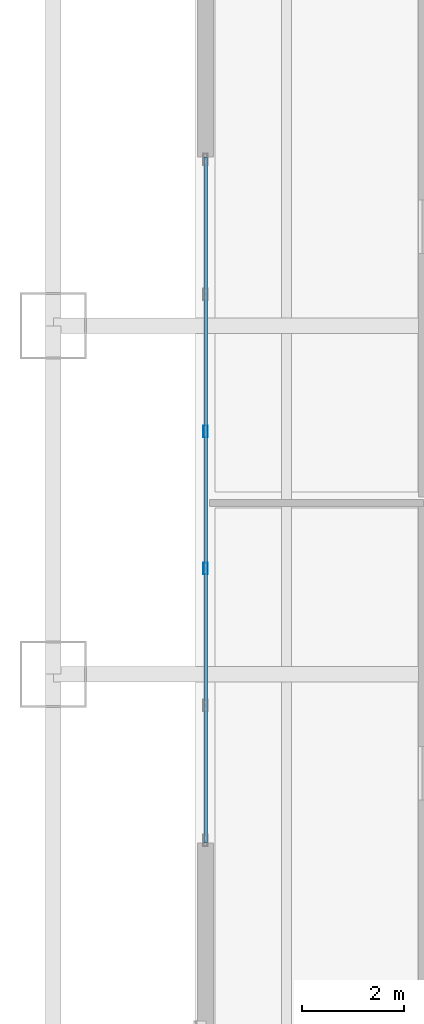
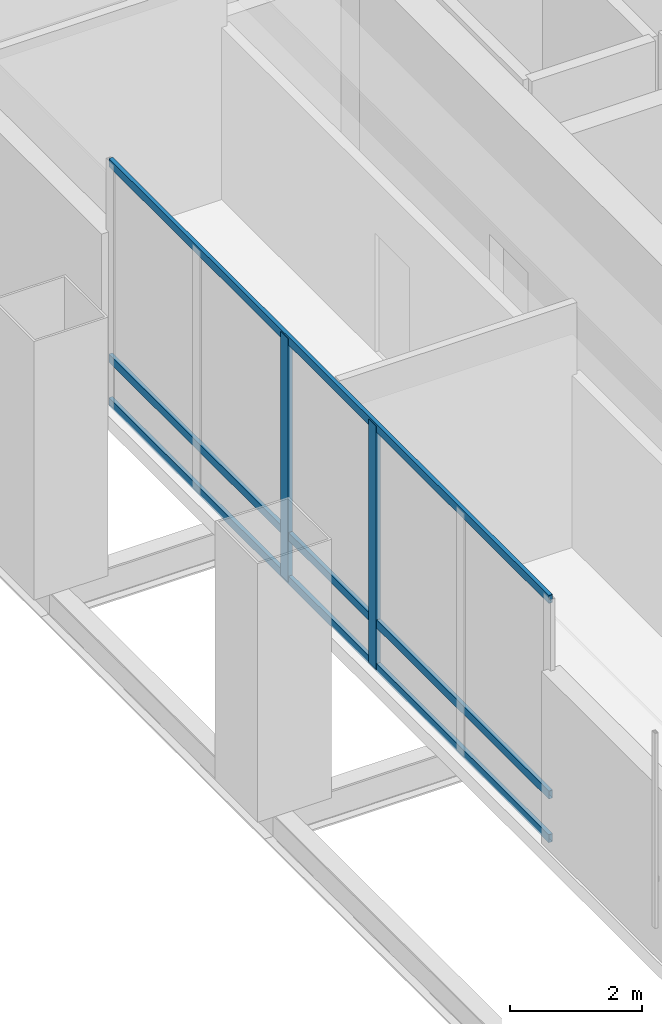
# One storey, part 8 of 33: 5 members, 1 element without a shape of its own.
"""IFC4 building model written with IfcOpenShell, lengths in metres."""

from ifc_helpers import new_model, si_unit, direction, frame, origin, origin_2d, place, context, subcontext, project, spatial, hollow_rectangle, extrude, material, material_profile, profile_set, type_object, element, aggregate, save


model = new_model("IFC4")

# Units and contexts
model_context = context("Model", 3, precision=1e-05, world=origin(), true_north=direction((0.0, 1.0)))
body_context = subcontext(model_context, "Body", "Model", "MODEL_VIEW")
ifc_project = project(units=[si_unit("LENGTHUNIT", "METRE"), si_unit("AREAUNIT", "SQUARE_METRE"), si_unit("VOLUMEUNIT", "CUBIC_METRE"), si_unit("PLANEANGLEUNIT", "RADIAN"), si_unit("MASSUNIT", "GRAM", prefix="KILO")], contexts=[model_context])

# Site, building, storey
site_placement = place(None, origin())
site = spatial("IfcSite", under=ifc_project, at=site_placement, CompositionType="ELEMENT")
building_placement = place(site_placement, origin())
building = spatial("IfcBuilding", under=site, at=building_placement, Name="Punatoya Terracotta Tower", CompositionType="ELEMENT")
storey_placement = place(building_placement, frame((0.0, 0.0, 246.60009765625)))
storey = spatial("IfcBuildingStorey", under=building, at=storey_placement, Name="L58", CompositionType="ELEMENT", Elevation=246.60009765625)

# Curtain wall, members
ifc_material_1 = material(Name="Aluminium 6063-T6 + Double Low-E Glass", Category="aluminium")
curtain_wall_type = type_object("IfcCurtainWallType", Name="CW-NCK", PredefinedType="NOTDEFINED", material=ifc_material_1)
curtain_wall_placement = place(storey_placement, origin())
curtain_wall = element("IfcCurtainWall", 1, at=curtain_wall_placement, inside=storey, type_object=curtain_wall_type, Name="L58 Curtain Wall CW-L58-W13-1", PredefinedType="NOTDEFINED")
ifc_material_2 = material(Name="Aluminium 6063-T6", Category="aluminium")
ifc_material_profile_1 = material_profile(ifc_material_2, hollow_rectangle(XDim=0.080078125, YDim=0.22509765625, WallThickness=0.0048828125, at=origin_2d()))
ifc_profile_set_1 = profile_set([ifc_material_profile_1], Name="Aluminium 6063-T6")
member_type_1 = type_object("IfcMemberType", Name="CW-MUL-NCK", PredefinedType="MULLION", material=ifc_profile_set_1)
member_1_placement = place(storey_placement, frame((-16.1298828125, 1.337890625, 0.0), z_axis=(0.0, 0.0, 1.0), x_axis=(1.0, 0.0, 0.0)))
member_1 = element("IfcMember", 2, at=member_1_placement, type_object=member_type_1, Name="CW-L58-W13-1 Mullion 02", PredefinedType="MULLION", context=body_context, shape_type="SweptSolid", body=[
    extrude(hollow_rectangle(XDim=0.080078125, YDim=0.22509765625, WallThickness=0.0048828125, at=origin_2d()), origin(), (0.0, 0.0, 1.0), 4.52001953125),
])
member_2_placement = place(storey_placement, frame((-16.1298828125, -1.337890625, 0.0), z_axis=(0.0, 0.0, 1.0), x_axis=(1.0, 0.0, 0.0)))
member_2 = element("IfcMember", 3, at=member_2_placement, type_object=member_type_1, Name="CW-L58-W13-1 Mullion 03", PredefinedType="MULLION", context=body_context, shape_type="SweptSolid", body=[
    extrude(hollow_rectangle(XDim=0.080078125, YDim=0.22509765625, WallThickness=0.0048828125, at=origin_2d()), origin(), (0.0, 0.0, 1.0), 4.52001953125),
])
ifc_material_profile_2 = material_profile(ifc_material_2, hollow_rectangle(XDim=0.068115234375, YDim=0.14990234375, WallThickness=0.00390625, at=origin_2d()))
ifc_profile_set_2 = profile_set([ifc_material_profile_2], Name="Aluminium 6063-T6")
member_type_2 = type_object("IfcMemberType", Name="CW-TRN-TYP", PredefinedType="USERDEFINED", material=ifc_profile_set_2)
member_3_placement = place(storey_placement, frame((-16.1298828125, 6.68994140625, 0.039794921875), z_axis=(0.0, -1.0, 0.0), x_axis=(1.0, 0.0, 0.0)))
member_3 = element("IfcMember", 4, at=member_3_placement, type_object=member_type_2, Name="CW-L58-W13-1 Transom 1", ObjectType="TRANSOM", PredefinedType="USERDEFINED", context=body_context, shape_type="SweptSolid", body=[
    extrude(hollow_rectangle(XDim=0.068115234375, YDim=0.14990234375, WallThickness=0.00390625, at=origin_2d()), origin(), (0.0, 0.0, 1.0), 13.3798828125),
])
member_4_placement = place(storey_placement, frame((-16.1298828125, 6.68994140625, 0.849853515625), z_axis=(0.0, -1.0, 0.0), x_axis=(1.0, 0.0, 0.0)))
member_4 = element("IfcMember", 5, at=member_4_placement, type_object=member_type_2, Name="CW-L58-W13-1 Transom 2", ObjectType="TRANSOM", PredefinedType="USERDEFINED", context=body_context, shape_type="SweptSolid", body=[
    extrude(hollow_rectangle(XDim=0.068115234375, YDim=0.14990234375, WallThickness=0.00390625, at=origin_2d()), origin(), (0.0, 0.0, 1.0), 13.3798828125),
])
member_5_placement = place(storey_placement, frame((-16.1298828125, 6.68994140625, 4.47998046875), z_axis=(0.0, -1.0, 0.0), x_axis=(1.0, 0.0, 0.0)))
member_5 = element("IfcMember", 6, at=member_5_placement, type_object=member_type_2, Name="CW-L58-W13-1 Transom 3", ObjectType="TRANSOM", PredefinedType="USERDEFINED", context=body_context, shape_type="SweptSolid", body=[
    extrude(hollow_rectangle(XDim=0.068115234375, YDim=0.14990234375, WallThickness=0.00390625, at=origin_2d()), origin(), (0.0, 0.0, 1.0), 13.3798828125),
])
aggregate(curtain_wall, [member_1, member_2, member_3, member_4, member_5])

save(model, "model.ifc")
